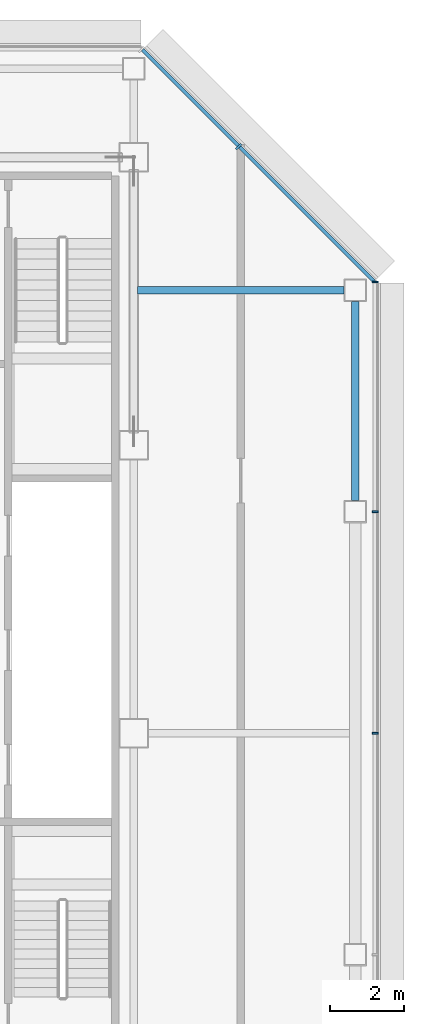
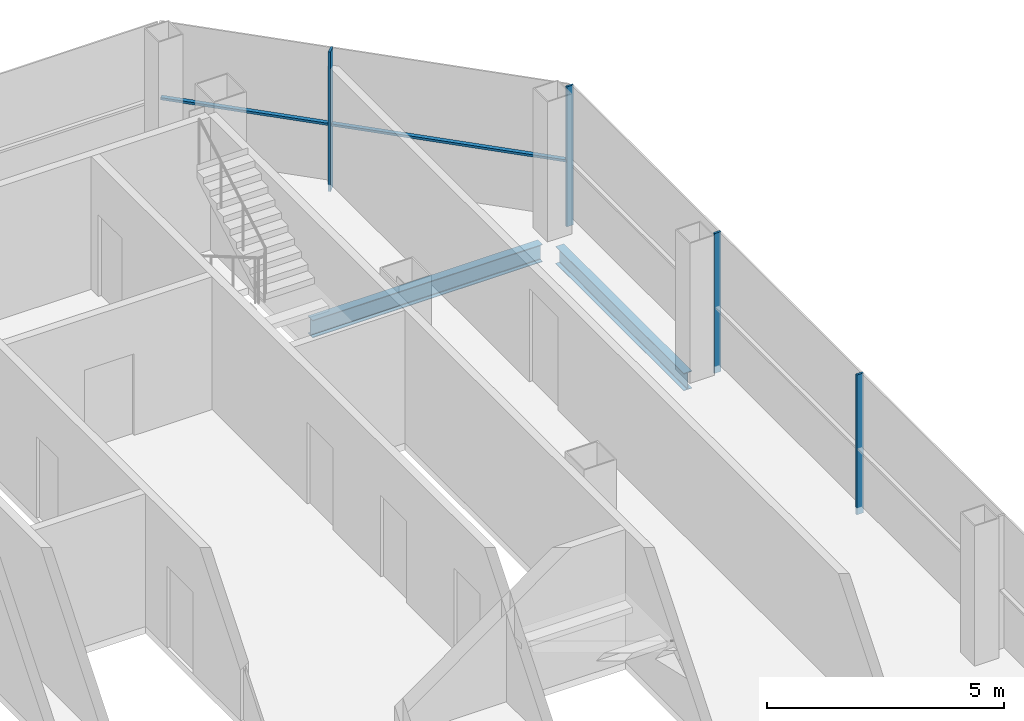
# One storey, part 18 of 27: 5 members, 2 beams, 2 elements without a shape of their own.
"""IFC4 building model written with IfcOpenShell, lengths in metres."""

from ifc_helpers import new_model, si_unit, direction, frame, origin, origin_2d, place, context, subcontext, project, spatial, rectangle, i_section, extrude, material, material_profile, profile_set, type_object, element, aggregate, save


model = new_model("IFC4")

# Units and contexts
model_context = context("Model", 3, precision=1e-05, world=origin(), true_north=direction((0.0, 1.0)))
body_context = subcontext(model_context, "Body", "Model", "MODEL_VIEW")
ifc_project = project(units=[si_unit("LENGTHUNIT", "METRE"), si_unit("AREAUNIT", "SQUARE_METRE"), si_unit("VOLUMEUNIT", "CUBIC_METRE"), si_unit("PLANEANGLEUNIT", "RADIAN"), si_unit("MASSUNIT", "GRAM", prefix="KILO")], contexts=[model_context])

# Site, building, storey
site_placement = place(None, origin())
site = spatial("IfcSite", under=ifc_project, at=site_placement, CompositionType="ELEMENT")
building_placement = place(site_placement, origin())
building = spatial("IfcBuilding", under=site, at=building_placement, Name="Sorahane Residences", CompositionType="ELEMENT")
storey_placement = place(building_placement, frame((0.0, 0.0, 298.0)))
storey = spatial("IfcBuildingStorey", under=building, at=storey_placement, Name="L70", CompositionType="ELEMENT", Elevation=298.0)

# Curtain wall, members
ifc_material_1 = material(Name="Dark low-e glass and black anodised aluminium", Category="aluminium")
curtain_wall_type_1 = type_object("IfcCurtainWallType", Name="Curtain wall CW-1 Typical unitised wall", PredefinedType="NOTDEFINED", material=ifc_material_1)
curtain_wall_1_placement = place(storey_placement, origin())
curtain_wall_1 = element("IfcCurtainWall", 1, at=curtain_wall_1_placement, inside=storey, type_object=curtain_wall_type_1, Name="CW-1 curtain wall L70 E2", PredefinedType="NOTDEFINED")
ifc_material_2 = material(Name="Black anodised aluminium", Category="aluminium")
ifc_material_profile_1 = material_profile(ifc_material_2, rectangle(XDim=0.159912109375, YDim=0.050048828125, at=origin_2d()), Name="Curtain wall mullion CW-1 black anodised aluminium 50x160")
ifc_profile_set_1 = profile_set([ifc_material_profile_1], Name="Black anodised aluminium")
member_type_1 = type_object("IfcMemberType", Name="Curtain wall mullion CW-1 black anodised aluminium 50x160", PredefinedType="MULLION", material=ifc_profile_set_1)
member_1_placement = place(storey_placement, frame((48.5400390625, 30.0, -0.179931640625), z_axis=(0.0, 0.0, 1.0), x_axis=(1.0, 0.0, 0.0)))
member_1 = element("IfcMember", 2, at=member_1_placement, type_object=member_type_1, Name="CW-1 mullion L70 E2.5", PredefinedType="MULLION", context=body_context, shape_type="SweptSolid", body=[
    extrude(rectangle(XDim=0.159912109375, YDim=0.050048828125, at=origin_2d()), origin(), (0.0, 0.0, 1.0), 3.599853515625),
])
member_2_placement = place(storey_placement, frame((48.5400390625, 36.0, -0.179931640625), z_axis=(0.0, 0.0, 1.0), x_axis=(1.0, 0.0, 0.0)))
member_2 = element("IfcMember", 3, at=member_2_placement, type_object=member_type_1, Name="CW-1 mullion L70 E2.6", PredefinedType="MULLION", context=body_context, shape_type="SweptSolid", body=[
    extrude(rectangle(XDim=0.159912109375, YDim=0.050048828125, at=origin_2d()), origin(), (0.0, 0.0, 1.0), 3.599853515625),
])
member_3_placement = place(storey_placement, frame((48.5400390625, 42.2236328125, -0.179931640625), z_axis=(0.0, 0.0, 1.0), x_axis=(1.0, 0.0, 0.0)))
member_3 = element("IfcMember", 4, at=member_3_placement, type_object=member_type_1, Name="CW-1 mullion L70 E2.7", PredefinedType="MULLION", context=body_context, shape_type="SweptSolid", body=[
    extrude(rectangle(XDim=0.159912109375, YDim=0.050048828125, at=origin_2d()), origin(), (0.0, 0.0, 1.0), 3.599853515625),
])
aggregate(curtain_wall_1, [member_1, member_2, member_3])

ifc_material_3 = material(Name="Dark low-e glass and black anodised aluminium", Category="aluminium")
curtain_wall_type_2 = type_object("IfcCurtainWallType", Name="Curtain wall CW-2 Chamfer unitised wall", PredefinedType="NOTDEFINED", material=ifc_material_3)
curtain_wall_2_placement = place(storey_placement, origin())
curtain_wall_2 = element("IfcCurtainWall", 5, at=curtain_wall_2_placement, inside=storey, type_object=curtain_wall_type_2, Name="CW-2 curtain wall L70 NE1", PredefinedType="NOTDEFINED")
ifc_material_4 = material(Name="Black anodised aluminium", Category="aluminium")
ifc_material_profile_2 = material_profile(ifc_material_4, rectangle(XDim=0.199951171875, YDim=0.050048828125, at=origin_2d()), Name="Curtain wall mullion CW-2 black anodised aluminium 50x200")
ifc_profile_set_2 = profile_set([ifc_material_profile_2], Name="Black anodised aluminium")
member_type_2 = type_object("IfcMemberType", Name="Curtain wall mullion CW-2 black anodised aluminium 50x200", PredefinedType="MULLION", material=ifc_profile_set_2)
member_4_placement = place(storey_placement, frame((44.84326171875, 45.89208984375, -0.179931640625), z_axis=(0.0, 0.0, 1.0), x_axis=(0.707106781187, 0.707106781187, 0.0)))
member_4 = element("IfcMember", 6, at=member_4_placement, type_object=member_type_2, Name="CW-2 mullion L70 NE1.2", PredefinedType="MULLION", context=body_context, shape_type="SweptSolid", body=[
    extrude(rectangle(XDim=0.199951171875, YDim=0.050048828125, at=origin_2d()), origin(), (0.0, 0.0, 1.0), 3.599853515625),
])
ifc_material_5 = material(Name="Black anodised aluminium", Category="aluminium")
ifc_material_profile_3 = material_profile(ifc_material_5, rectangle(XDim=0.10009765625, YDim=0.06005859375, at=origin_2d()), Name="Curtain wall transom CW-2 black anodised aluminium 60x100")
ifc_profile_set_3 = profile_set([ifc_material_profile_3], Name="Black anodised aluminium")
member_type_3 = type_object("IfcMemberType", Name="Curtain wall transom CW-2 black anodised aluminium 60x100", PredefinedType="USERDEFINED", material=ifc_profile_set_3)
member_5_placement = place(storey_placement, frame((48.51513671875, 42.234375, 1.5), z_axis=(-0.707106781187, 0.707106781187, 0.0), x_axis=(-0.707106781187, -0.707106781187, 0.0)))
member_5 = element("IfcMember", 7, at=member_5_placement, type_object=member_type_3, Name="CW-2 transom L70 NE1", ObjectType="TRANSOM", PredefinedType="USERDEFINED", context=body_context, shape_type="SweptSolid", body=[
    extrude(rectangle(XDim=0.10009765625, YDim=0.06005859375, at=origin_2d()), origin(), (0.0, 0.0, 1.0), 8.88232421875),
])
aggregate(curtain_wall_2, [member_4, member_5])

# Beams
ifc_material_6 = material(Name="Steel Q355B", Category="steel")
ifc_material_profile_4 = material_profile(ifc_material_6, i_section(OverallWidth=0.199951171875, OverallDepth=0.449951171875, WebThickness=0.009033203125, FlangeThickness=0.013916015625, FilletRadius=0.02001953125, at=origin_2d()), Name="HN 450x200x9x14")
ifc_profile_set_4 = profile_set([ifc_material_profile_4], Name="Steel Q355B")
beam_type = type_object("IfcBeamType", Name="Steel floor beam HN 450x200x9x14 Q355B", PredefinedType="BEAM", material=ifc_profile_set_4)
beam_1_placement = place(storey_placement, frame((48.0, 36.300048828125, -0.405029296875), z_axis=(0.0, 1.0, 0.0), x_axis=(-1.0, 0.0, 0.0)))
element("IfcBeam", 8, at=beam_1_placement, inside=storey, type_object=beam_type, Name="Beam L70 063", PredefinedType="BEAM", context=body_context, shape_type="SweptSolid", body=[
    extrude(i_section(OverallWidth=0.199951171875, OverallDepth=0.449951171875, WebThickness=0.009033203125, FlangeThickness=0.013916015625, FilletRadius=0.02001953125, at=origin_2d()), origin(), (0.0, 0.0, 1.0), 5.39990234375),
])
beam_2_placement = place(storey_placement, frame((42.10009765625, 42.0, -0.405029296875), z_axis=(1.0, 0.0, 0.0), x_axis=(0.0, 1.0, 0.0)))
element("IfcBeam", 9, at=beam_2_placement, inside=storey, type_object=beam_type, Name="Beam L70 086", PredefinedType="BEAM", context=body_context, shape_type="SweptSolid", body=[
    extrude(i_section(OverallWidth=0.199951171875, OverallDepth=0.449951171875, WebThickness=0.009033203125, FlangeThickness=0.013916015625, FilletRadius=0.02001953125, at=origin_2d()), origin(), (0.0, 0.0, 1.0), 5.599853515625),
])

save(model, "model.ifc")
